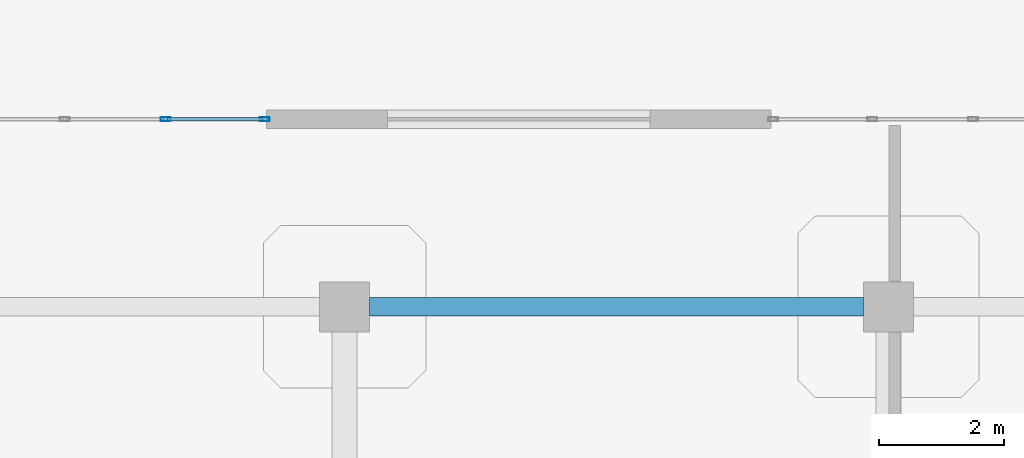
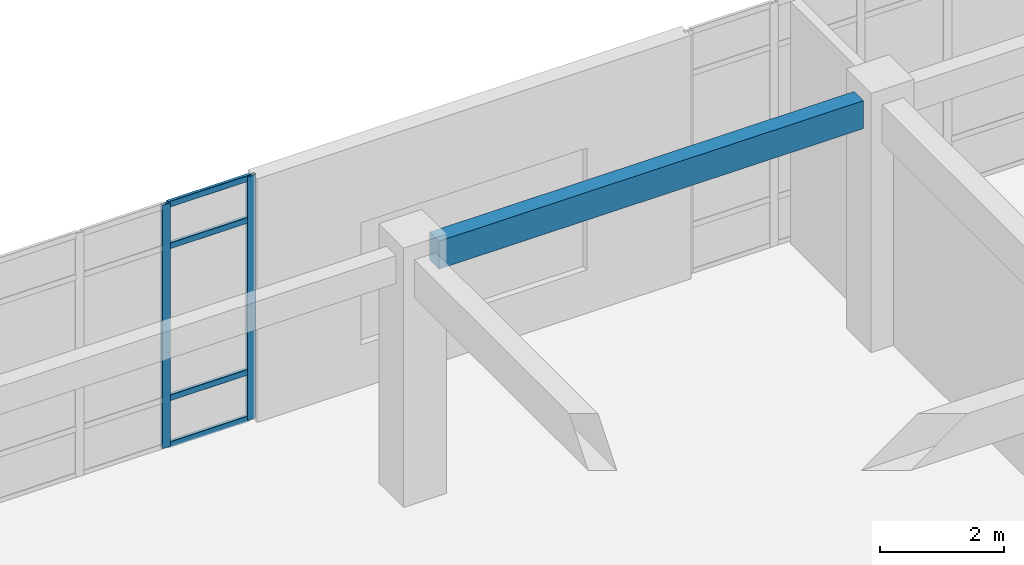
# One storey, part 76 of 124: 6 members, 1 beam, 1 element without a shape of its own.
"""IFC4 building model written with IfcOpenShell, lengths in metres."""

from ifc_helpers import new_model, si_unit, derived_unit, direction, frame, origin, origin_2d, place, context, subcontext, project, spatial, rectangle, hollow_rectangle, extrude, material, layer, layer_set, material_profile, profile_set, type_object, element, aggregate, save


model = new_model("IFC4")

# Units and contexts
model_context = context("Model", 3, precision=1e-05, world=origin(), true_north=direction((0.0, 1.0)))
body_context = subcontext(model_context, "Body", "Model", "MODEL_VIEW")
ifc_project = project(units=[si_unit("LENGTHUNIT", "METRE"), si_unit("AREAUNIT", "SQUARE_METRE"), si_unit("VOLUMEUNIT", "CUBIC_METRE"), si_unit("PLANEANGLEUNIT", "RADIAN"), si_unit("MASSUNIT", "GRAM", prefix="KILO"), derived_unit("THERMALTRANSMITTANCEUNIT", [(si_unit("MASSUNIT", "GRAM", prefix="KILO"), 1), (si_unit("TIMEUNIT", "SECOND"), -3), (si_unit("THERMODYNAMICTEMPERATUREUNIT", "KELVIN"), -1)])], contexts=[model_context])

# Site, building, storey
site_placement = place(None, origin())
site = spatial("IfcSite", under=ifc_project, at=site_placement, CompositionType="ELEMENT")
building_placement = place(site_placement, origin())
building = spatial("IfcBuilding", under=site, at=building_placement, Name="Qinzheling Arcade Emporium", CompositionType="ELEMENT")
storey_placement = place(building_placement, frame((0.0, 0.0, 16.5)))
storey = spatial("IfcBuildingStorey", under=building, at=storey_placement, Name="L04", CompositionType="ELEMENT", Elevation=16.5)

# Curtain wall, members
ifc_material_1 = material(Name="Anodised aluminium and solar-control double glazing", Category="aluminium")
ifc_layer = layer(ifc_material_1, 0.159912109375, Name="Anodised aluminium and solar-control double glazing", Category="aluminium")
ifc_layer_set = layer_set([ifc_layer], Name="Anodised aluminium and solar-control double glazing")
curtain_wall_type = type_object("IfcCurtainWallType", Name="Food Hall Loggia Curtain Wall", PredefinedType="NOTDEFINED", material=ifc_layer_set)
curtain_wall_placement = place(storey_placement, origin())
curtain_wall = element("IfcCurtainWall", 1, at=curtain_wall_placement, inside=storey, type_object=curtain_wall_type, Name="Curtain Wall CW-L04-219", PredefinedType="NOTDEFINED")
ifc_material_2 = material(Name="Anodised aluminium 6063-T6", Category="aluminium")
ifc_material_profile_1 = material_profile(ifc_material_2, hollow_rectangle(XDim=0.06005859375, YDim=0.159912109375, WallThickness=0.00390625, InnerFilletRadius=0.00390625, OuterFilletRadius=0.008056640625, at=origin_2d()), Name="RHS 160x60x4", Category="aluminium")
ifc_profile_set_1 = profile_set([ifc_material_profile_1], Name="Anodised aluminium 6063-T6")
member_type_1 = type_object("IfcMemberType", Name="Curtain Wall Mullion RHS160x60", PredefinedType="MULLION", material=ifc_profile_set_1)
member_1_placement = place(storey_placement, frame((136.333740234375, 28.199951171875, 0.0), z_axis=(0.0, 0.0, 1.0), x_axis=(0.0, 1.0, 0.0)))
member_1 = element("IfcMember", 2, at=member_1_placement, type_object=member_type_1, Name="CW04 mullion 5", PredefinedType="MULLION", context=body_context, shape_type="SweptSolid", body=[
    extrude(hollow_rectangle(XDim=0.06005859375, YDim=0.159912109375, WallThickness=0.00390625, InnerFilletRadius=0.00390625, OuterFilletRadius=0.008056640625, at=origin_2d()), origin(), (0.0, 0.0, 1.0), 4.7900390625),
])
member_2_placement = place(storey_placement, frame((137.91796875, 28.199951171875, 0.0), z_axis=(0.0, 0.0, 1.0), x_axis=(0.0, 1.0, 0.0)))
member_2 = element("IfcMember", 3, at=member_2_placement, type_object=member_type_1, Name="CW04 mullion 6", PredefinedType="MULLION", context=body_context, shape_type="SweptSolid", body=[
    extrude(hollow_rectangle(XDim=0.06005859375, YDim=0.159912109375, WallThickness=0.00390625, InnerFilletRadius=0.00390625, OuterFilletRadius=0.008056640625, at=origin_2d()), origin(), (0.0, 0.0, 1.0), 4.7900390625),
])
ifc_material_profile_2 = material_profile(ifc_material_2, hollow_rectangle(XDim=0.06005859375, YDim=0.1201171875, WallThickness=0.00390625, InnerFilletRadius=0.00390625, OuterFilletRadius=0.008056640625, at=origin_2d()), Name="RHS 120x60x4", Category="aluminium")
ifc_profile_set_2 = profile_set([ifc_material_profile_2], Name="Anodised aluminium 6063-T6")
member_type_2 = type_object("IfcMemberType", Name="Curtain Wall Transom RHS120x60", PredefinedType="USERDEFINED", material=ifc_profile_set_2)
member_3_placement = place(storey_placement, frame((136.36376953125, 28.199951171875, 0.030029296875), z_axis=(1.0, 0.0, 0.0), x_axis=(0.0, 1.0, 0.0)))
member_3 = element("IfcMember", 4, at=member_3_placement, type_object=member_type_2, Name="CW04 transom 5.1", ObjectType="TRANSOM", PredefinedType="USERDEFINED", context=body_context, shape_type="SweptSolid", body=[
    extrude(hollow_rectangle(XDim=0.06005859375, YDim=0.1201171875, WallThickness=0.00390625, InnerFilletRadius=0.00390625, OuterFilletRadius=0.008056640625, at=origin_2d()), origin(), (0.0, 0.0, 1.0), 1.524169921875),
])
member_4_placement = place(storey_placement, frame((136.36376953125, 28.199951171875, 0.949951171875), z_axis=(1.0, 0.0, 0.0), x_axis=(0.0, 1.0, 0.0)))
member_4 = element("IfcMember", 5, at=member_4_placement, type_object=member_type_2, Name="CW04 transom 5.2", ObjectType="TRANSOM", PredefinedType="USERDEFINED", context=body_context, shape_type="SweptSolid", body=[
    extrude(hollow_rectangle(XDim=0.06005859375, YDim=0.1201171875, WallThickness=0.00390625, InnerFilletRadius=0.00390625, OuterFilletRadius=0.008056640625, at=origin_2d()), origin(), (0.0, 0.0, 1.0), 1.524169921875),
])
member_5_placement = place(storey_placement, frame((136.36376953125, 28.199951171875, 3.93994140625), z_axis=(1.0, 0.0, 0.0), x_axis=(0.0, 1.0, 0.0)))
member_5 = element("IfcMember", 6, at=member_5_placement, type_object=member_type_2, Name="CW04 transom 5.3", ObjectType="TRANSOM", PredefinedType="USERDEFINED", context=body_context, shape_type="SweptSolid", body=[
    extrude(hollow_rectangle(XDim=0.06005859375, YDim=0.1201171875, WallThickness=0.00390625, InnerFilletRadius=0.00390625, OuterFilletRadius=0.008056640625, at=origin_2d()), origin(), (0.0, 0.0, 1.0), 1.524169921875),
])
member_6_placement = place(storey_placement, frame((136.36376953125, 28.199951171875, 4.760009765625), z_axis=(1.0, 0.0, 0.0), x_axis=(0.0, 1.0, 0.0)))
member_6 = element("IfcMember", 7, at=member_6_placement, type_object=member_type_2, Name="CW04 transom 5.4", ObjectType="TRANSOM", PredefinedType="USERDEFINED", context=body_context, shape_type="SweptSolid", body=[
    extrude(hollow_rectangle(XDim=0.06005859375, YDim=0.1201171875, WallThickness=0.00390625, InnerFilletRadius=0.00390625, OuterFilletRadius=0.008056640625, at=origin_2d()), origin(), (0.0, 0.0, 1.0), 1.524169921875),
])
aggregate(curtain_wall, [member_1, member_2, member_3, member_4, member_5, member_6])

# Beam
ifc_material_3 = material(Name="Concrete C40", Category="concrete")
ifc_material_profile_3 = material_profile(ifc_material_3, rectangle(XDim=0.300048828125, YDim=0.550048828125, at=origin_2d()), Name="RC 300x550", Category="concrete")
ifc_profile_set_3 = profile_set([ifc_material_profile_3], Name="Concrete C40")
beam_type = type_object("IfcBeamType", Name="RC Terrace Spandrel Beam 300x550 C40", PredefinedType="SPANDREL", material=ifc_profile_set_3)
beam_placement = place(storey_placement, frame((139.60009765625, 25.199951171875, 4.530029296875), z_axis=(1.0, 0.0, 0.0), x_axis=(0.0, 1.0, 0.0)))
element("IfcBeam", 8, at=beam_placement, inside=storey, type_object=beam_type, Name="Beam BM-L04-X-D-17", PredefinedType="SPANDREL", context=body_context, shape_type="SweptSolid", body=[
    extrude(rectangle(XDim=0.300048828125, YDim=0.550048828125, at=origin_2d()), origin(), (0.0, 0.0, 1.0), 7.89990234375),
])

save(model, "model.ifc")
